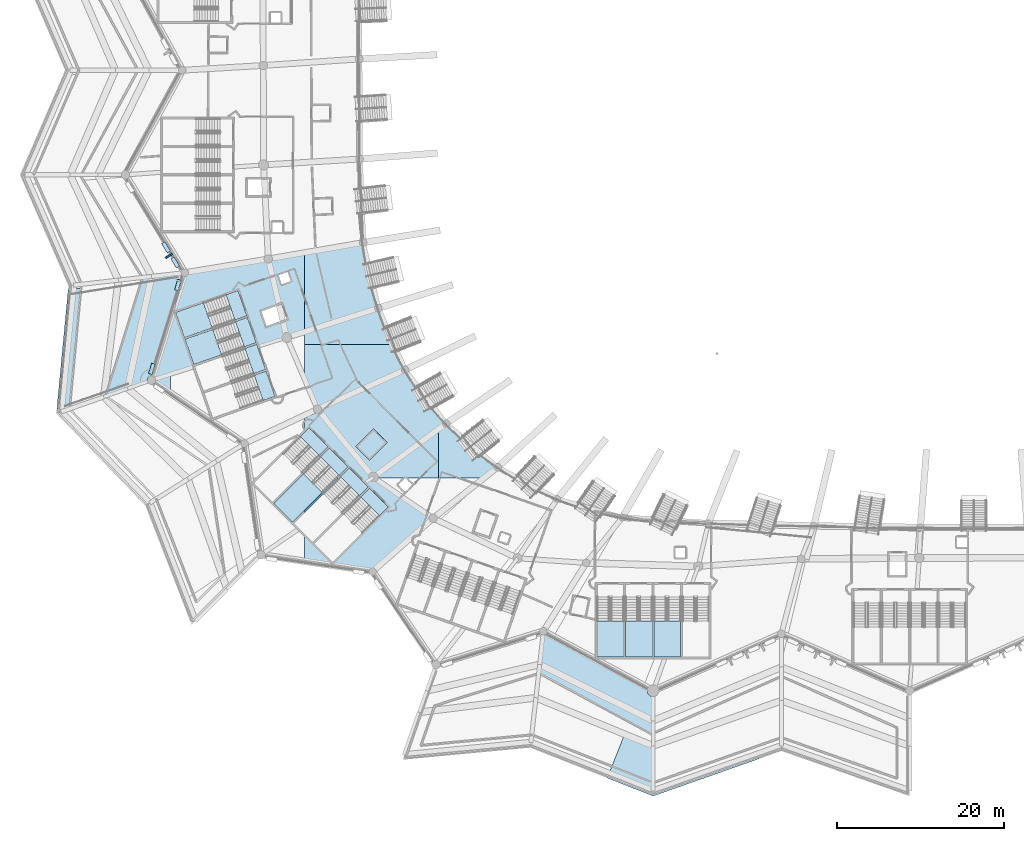
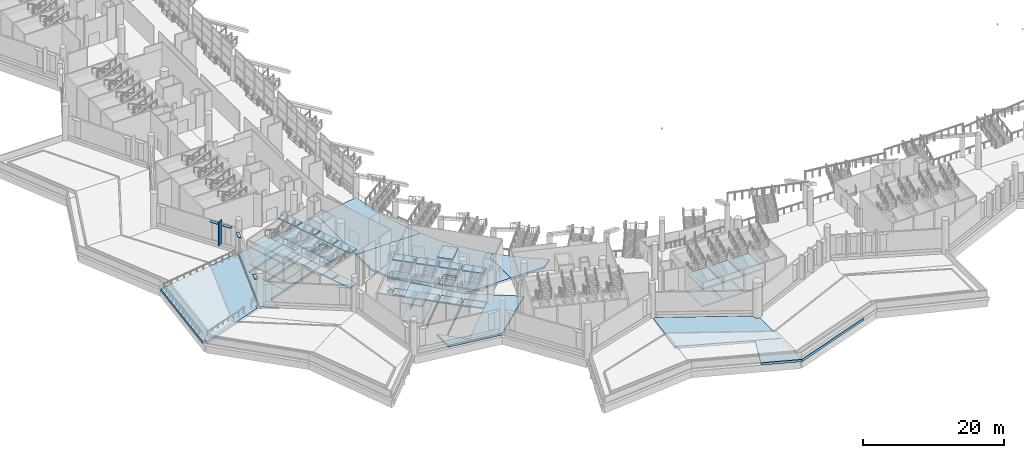
# One storey, part 22 of 173: 45 slabs, 5 plates, 11 elements without a shape of their own.
"""IFC4 building model written with IfcOpenShell, lengths in metres."""

from ifc_helpers import new_model, si_unit, direction, frame, origin, origin_2d, place, context, subcontext, project, spatial, polyline, rectangle, outline, extrude, material, layer, layer_set, type_object, element, aggregate, save


model = new_model("IFC4")

# Units and contexts
model_context = context("Model", 3, precision=1e-05, world=origin(), true_north=direction((0.0, 1.0)))
body_context = subcontext(model_context, "Body", "Model", "MODEL_VIEW")
ifc_project = project(units=[si_unit("LENGTHUNIT", "METRE"), si_unit("AREAUNIT", "SQUARE_METRE"), si_unit("VOLUMEUNIT", "CUBIC_METRE"), si_unit("PLANEANGLEUNIT", "RADIAN"), si_unit("MASSUNIT", "GRAM", prefix="KILO")], contexts=[model_context])

# Site, building, storey
site_placement = place(None, origin())
site = spatial("IfcSite", under=ifc_project, at=site_placement, CompositionType="ELEMENT")
building_placement = place(site_placement, origin())
building = spatial("IfcBuilding", under=site, at=building_placement, Name="Meseta Stadium", CompositionType="ELEMENT")
storey_placement = place(building_placement, frame((0.0, 0.0, 18.0)))
storey = spatial("IfcBuildingStorey", under=building, at=storey_placement, Name="L03", CompositionType="ELEMENT", Elevation=18.0)

# Slabs
ifc_material_1 = material(Name="Concrete C40/50", Category="concrete")
ifc_layer_1 = layer(ifc_material_1, 0.25)
ifc_layer_set_1 = layer_set([ifc_layer_1], Name="Core roof slab 250")
slab_type_1 = type_object("IfcSlabType", Name="Core roof slab 250", PredefinedType="ROOF", material=ifc_layer_set_1)
slab_1_placement = place(storey_placement, frame((0.0, 0.0, 4.60009765625)))
element("IfcSlab", 1, at=slab_1_placement, inside=storey, type_object=slab_type_1, Name="Core 21 lift overrun roof", PredefinedType="ROOF", context=body_context, shape_type="SweptSolid", body=[
    extrude(outline(polyline([(-73.867431640625, -76.2412109375), (-71.74609375, -74.119873046875), (-70.119873046875, -75.74609375), (-72.2412109375, -77.867431640625), (-73.867431640625, -76.2412109375)])), origin(), (0.0, 0.0, 1.0), 0.25),
])
ifc_material_2 = material(Name="Concrete C40/50", Category="concrete")
ifc_layer_2 = layer(ifc_material_2, 0.35009765625)
ifc_layer_set_2 = layer_set([ifc_layer_2], Name="Floor slab 350")
slab_type_2 = type_object("IfcSlabType", Name="Floor slab 350", PredefinedType="FLOOR", material=ifc_layer_set_2)
slab_2_placement = place(storey_placement, frame((0.0, 0.0, -0.35009765625)))
element("IfcSlab", 2, at=slab_2_placement, inside=storey, type_object=slab_type_2, Name="Floor slab L03 sector 35 panel 03", PredefinedType="FLOOR", context=body_context, shape_type="SweptSolid", body=[
    extrude(outline(polyline([(-85.63037109375, -64.211181640625), (-80.0, -62.44580078125), (-80.0, -52.975830078125), (-84.33154296875, -53.67333984375), (-84.3251953125, -53.801513671875), (-94.29443359375, -55.44140625), (-98.291015625, -68.297607421875), (-96.0, -69.85205078125), (-96.0, -67.46240234375), (-92.1708984375, -66.26171875), (-85.70458984375, -63.9990234375), (-85.63037109375, -64.211181640625)]), holes=[polyline([(-82.723876953125, -59.195068359375), (-82.09619140625, -60.988525390625), (-84.55029296875, -61.84716796875), (-85.177978515625, -60.0537109375), (-82.723876953125, -59.195068359375)]), polyline([(-94.2841796875, -63.399169921875), (-86.827392578125, -60.789794921875), (-85.7705078125, -63.810302734375), (-93.227294921875, -66.419677734375), (-94.2841796875, -63.399169921875)]), polyline([(-95.406982421875, -60.18994140625), (-87.950439453125, -57.580810546875), (-86.8935546875, -60.601318359375), (-94.35009765625, -63.21044921875), (-95.406982421875, -60.18994140625)]), polyline([(-82.74267578125, -56.870849609375), (-83.138916015625, -55.73828125), (-82.006103515625, -55.341796875), (-81.60986328125, -56.474609375), (-82.74267578125, -56.870849609375)])]), origin(), (0.0, 0.0, 1.0), 0.35009765625),
])
slab_3_placement = place(storey_placement, frame((0.0, 0.0, -0.35009765625)))
element("IfcSlab", 3, at=slab_3_placement, inside=storey, type_object=slab_type_2, Name="Floor slab L03 sector 35 panel 08", PredefinedType="FLOOR", context=body_context, shape_type="SweptSolid", body=[
    extrude(outline(polyline([(-80.0, -83.858642578125), (-80.0, -84.141357421875), (-75.858642578125, -80.0), (-76.141357421875, -80.0), (-80.0, -83.858642578125)])), origin(), (0.0, 0.0, 1.0), 0.35009765625),
])
slab_4_placement = place(storey_placement, frame((0.0, 0.0, -0.35009765625)))
element("IfcSlab", 4, at=slab_4_placement, inside=storey, type_object=slab_type_2, Name="Floor slab L03 sector 35 panel 09", PredefinedType="FLOOR", context=body_context, shape_type="SweptSolid", body=[
    extrude(outline(polyline([(-71.931396484375, -57.104736328125), (-72.2548828125, -55.802978515625), (-72.539794921875, -54.491943359375), (-72.785400390625, -53.1728515625), (-72.9921875, -51.84716796875), (-80.0, -52.975830078125), (-80.0, -64.0), (-69.494384765625, -64.0), (-69.74462890625, -63.441162109375), (-70.2568359375, -62.20068359375), (-70.73193359375, -60.945556640625), (-71.169677734375, -59.67724609375), (-71.569580078125, -58.396484375), (-71.931396484375, -57.104736328125)])), origin(), (0.0, 0.0, 1.0), 0.35009765625),
])
slab_5_placement = place(storey_placement, frame((0.0, 0.0, -0.35009765625)))
element("IfcSlab", 5, at=slab_5_placement, inside=storey, type_object=slab_type_2, Name="Floor slab L03 sector 35 panel 10", PredefinedType="FLOOR", context=body_context, shape_type="SweptSolid", body=[
    extrude(outline(polyline([(-74.779296875, -78.6376953125), (-76.141357421875, -80.0), (-75.858642578125, -80.0), (-74.6376953125, -78.779296875), (-72.375, -81.0419921875), (-79.02197265625, -87.688720703125), (-80.0, -86.710693359375), (-80.0, -89.94189453125), (-71.856689453125, -91.15087890625), (-64.6220703125, -84.79248046875), (-71.775390625, -79.888916015625), (-78.246337890625, -71.998779296875), (-80.0, -72.84228515625), (-80.0, -74.524658203125), (-79.4462890625, -73.970947265625), (-77.183349609375, -76.233642578125), (-80.0, -79.05029296875), (-80.0, -79.3330078125), (-77.0419921875, -76.375), (-74.779296875, -78.6376953125)]), holes=[polyline([(-78.880615234375, -87.830078125), (-72.233642578125, -81.183349609375), (-69.970947265625, -83.4462890625), (-76.61767578125, -90.093017578125), (-78.880615234375, -87.830078125)])]), origin(), (0.0, 0.0, 1.0), 0.35009765625),
])
slab_6_placement = place(storey_placement, frame((0.0, 0.0, -0.35009765625)))
element("IfcSlab", 6, at=slab_6_placement, inside=storey, type_object=slab_type_2, Name="Floor slab L03 sector 35 panel 11", PredefinedType="FLOOR", context=body_context, shape_type="SweptSolid", body=[
    extrude(outline(polyline([(-63.97900390625, -72.476318359375), (-64.85400390625, -71.450927734375), (-65.69189453125, -70.39501953125), (-66.491455078125, -69.31005859375), (-67.251953125, -68.197021484375), (-67.972412109375, -67.057861328125), (-68.610595703125, -65.875), (-69.19580078125, -64.66650390625), (-69.494384765625, -64.0), (-80.0, -64.0), (-80.0, -68.13232421875), (-78.4453125, -71.756103515625), (-71.775390625, -79.888916015625), (-71.61328125, -80.0), (-68.009765625, -80.0), (-67.963134765625, -79.953369140625), (-67.91650390625, -80.0), (-64.0, -80.0), (-64.0, -74.15673828125), (-63.068115234375, -73.469970703125), (-63.97900390625, -72.476318359375)]), holes=[polyline([(-70.402587890625, -75.74609375), (-72.2412109375, -77.584716796875), (-73.584716796875, -76.2412109375), (-71.74609375, -74.402587890625), (-70.402587890625, -75.74609375)])]), origin(), (0.0, 0.0, 1.0), 0.35009765625),
])
slab_7_placement = place(storey_placement, frame((0.0, 0.0, -0.35009765625)))
element("IfcSlab", 7, at=slab_7_placement, inside=storey, type_object=slab_type_2, Name="Floor slab L03 sector 35 panel 14", PredefinedType="FLOOR", context=body_context, shape_type="SweptSolid", body=[
    extrude(outline(polyline([(-61.143310546875, -75.3564453125), (-62.12255859375, -74.430419921875), (-63.068115234375, -73.469970703125), (-64.0, -74.15673828125), (-64.0, -80.0), (-58.563720703125, -80.0), (-56.9150390625, -78.69580078125), (-58.01611328125, -77.91796875), (-59.088623046875, -77.101318359375), (-60.131591796875, -76.247314453125), (-61.143310546875, -75.3564453125)])), origin(), (0.0, 0.0, 1.0), 0.35009765625),
])

# Plates
ifc_material_3 = material(Name="White precast concrete C40/50", Category="concrete")
ifc_layer_3 = layer(ifc_material_3, 0.080078125)
ifc_layer_set_3 = layer_set([ifc_layer_3], Name="Louvre hood 1300x450")
plate_type_1 = type_object("IfcPlateType", Name="Louvre hood 1300x450", PredefinedType="USERDEFINED", material=ifc_layer_set_3)
for number, where, z_axis, x_axis, name in (
    (8, (-95.450439453125, -54.213134765625, 4.25), (0.0, 0.0, 1.0), (0.519362172223, -0.854554231201, 0.0), "Louvre hood L03 F36"),
    (9, (-96.541015625, -52.418701171875, 4.25), (0.0, 0.0, 1.0), (0.519362172223, -0.854554231201, 0.0), "Louvre hood L03 F36"),
    (10, (-95.118408203125, -56.9130859375, 4.25), (0.0, 0.0, 1.0), (-0.296868988045, -0.954918218455, 0.0), "Louvre hood L03 F37"),
    (11, (-98.235595703125, -66.93994140625, 4.25), (0.0, 0.0, 1.0), (-0.296868988045, -0.954918218455, 0.0), "Louvre hood L03 F37"),
):
    element("IfcPlate", number, at=place(storey_placement, frame(where, z_axis=z_axis, x_axis=x_axis)), inside=storey, type_object=plate_type_1, Name=name, ObjectType="LOUVRE", PredefinedType="USERDEFINED", context=body_context, shape_type="SweptSolid", body=[
        extrude(rectangle(XDim=1.300048828125, YDim=0.449951171875, at=origin_2d()), origin(), (0.0, 0.0, 1.0), 0.080078125),
    ])
ifc_material_4 = material(Name="Precast concrete C40/50, terracotta pigment", Category="masonry")
ifc_layer_4 = layer(ifc_material_4, 0.199951171875)
ifc_layer_set_4 = layer_set([ifc_layer_4], Name="Precast concrete C40/50, terracotta pigment")
plate_type_2 = type_object("IfcPlateType", Name="Precast fin 200x900", PredefinedType="USERDEFINED", material=ifc_layer_set_4)
plate_placement = place(storey_placement, frame((-96.18798828125, -53.432861328125, 0.9501953125), z_axis=(0.0, 0.0, 1.0), x_axis=(-0.519362515398, 0.854554022634, 0.0)))
element("IfcPlate", 12, at=plate_placement, inside=storey, type_object=plate_type_2, Name="Precast fin L03 F36.1", ObjectType="FIN", PredefinedType="USERDEFINED", context=body_context, shape_type="SweptSolid", body=[
    extrude(rectangle(XDim=0.199951171875, YDim=0.89990234375, at=origin_2d()), origin(), (0.0, 0.0, 1.0), 4.050048828125),
])

# Slabs
ifc_material_5 = material(Name="Concrete C40/50", Category="concrete")
ifc_layer_5 = layer(ifc_material_5, 0.39990234375)
ifc_layer_set_5 = layer_set([ifc_layer_5], Name="Roof garden slab 400")
slab_type_3 = type_object("IfcSlabType", Name="Roof garden slab 400", PredefinedType="ROOF", material=ifc_layer_set_5)
slab_8_placement = place(storey_placement, frame((0.0, 0.0, -0.39990234375)))
element("IfcSlab", 13, at=slab_8_placement, inside=storey, type_object=slab_type_3, Name="Roof garden slab 6 panel 03", PredefinedType="ROOF", context=body_context, shape_type="SweptSolid", body=[
    extrude(outline(polyline([(-51.323974609375, -98.73291015625), (-51.44140625, -98.748291015625), (-51.491943359375, -98.74169921875), (-52.337158203125, -106.244140625), (-38.333251953125, -112.0), (-38.333251953125, -106.10595703125), (-38.51611328125, -106.08203125), (-38.686279296875, -106.011474609375), (-38.83251953125, -105.899169921875), (-38.94482421875, -105.7529296875), (-39.015380859375, -105.582763671875), (-39.039306640625, -105.39990234375), (-39.015380859375, -105.21728515625), (-39.009765625, -105.203857421875), (-51.138671875, -98.629150390625), (-51.214599609375, -98.6875), (-51.323974609375, -98.73291015625)])), origin(), (0.0, 0.0, 1.0), 0.39990234375),
])
slab_9_placement = place(storey_placement, frame((0.0, 0.0, -0.39990234375)))
element("IfcSlab", 14, at=slab_9_placement, inside=storey, type_object=slab_type_3, Name="Roof garden slab 6 panel 04", PredefinedType="ROOF", context=body_context, shape_type="SweptSolid", body=[
    extrude(outline(polyline([(-38.333251953125, -112.0), (-41.7451171875, -110.59765625), (-43.822509765625, -115.8330078125), (-38.333251953125, -118.0), (-25.7548828125, -113.5703125), (-25.598876953125, -112.915283203125), (-38.333251953125, -117.39990234375), (-38.333251953125, -112.0)])), origin(), (0.0, 0.0, 1.0), 0.39990234375),
])
slab_10_placement = place(storey_placement, frame((0.0, 0.0, -0.39990234375)))
element("IfcSlab", 15, at=slab_10_placement, inside=storey, type_object=slab_type_3, Name="Roof garden slab 5 part 2 panel 03", PredefinedType="ROOF", context=body_context, shape_type="SweptSolid", body=[
    extrude(outline(polyline([(-94.615478515625, -55.762451171875), (-94.6875, -55.66845703125), (-94.73291015625, -55.558837890625), (-94.748291015625, -55.44140625), (-94.736083984375, -55.34912109375), (-108.255615234375, -57.526611328125), (-109.601318359375, -71.726806640625), (-109.03564453125, -71.54931640625), (-109.0869140625, -72.0751953125), (-98.763916015625, -68.462890625), (-98.7783203125, -68.427978515625), (-98.79541015625, -68.297607421875), (-98.7783203125, -68.1669921875), (-98.727783203125, -68.04541015625), (-98.647705078125, -67.94091796875), (-98.543212890625, -67.860595703125), (-98.421630859375, -67.810302734375), (-98.29150390625, -67.793212890625), (-94.563720703125, -55.802001953125), (-94.615478515625, -55.762451171875)])), origin(), (0.0, 0.0, 1.0), 0.39990234375),
])

# Stair, slabs
ifc_material_6 = material(Name="Concrete C40/50", Category="concrete")
stair_type = type_object("IfcStairType", Name="Exit stair 4 flights 150 mm risers", PredefinedType="HALF_TURN_STAIR", material=ifc_material_6)
stair_1_placement = place(storey_placement, origin())
stair_1 = element("IfcStair", 16, at=stair_1_placement, inside=storey, type_object=stair_type, Name="ST77 L03", PredefinedType="HALF_TURN_STAIR")
ifc_material_7 = material(Name="Concrete C40/50", Category="concrete")
ifc_layer_6 = layer(ifc_material_7, 0.199951171875)
ifc_layer_set_6 = layer_set([ifc_layer_6], Name="Stair landing 200")
slab_type_4 = type_object("IfcSlabType", Name="Stair landing 200", PredefinedType="LANDING", material=ifc_layer_set_6)
slab_11_placement = place(storey_placement, frame((0.0, 0.0, 1.300048828125)))
slab_11 = element("IfcSlab", 17, at=slab_11_placement, type_object=slab_type_4, Name="ST77 L03 landing 1", PredefinedType="LANDING", context=body_context, shape_type="SweptSolid", body=[
    extrude(outline(polyline([(-92.0751953125, -59.024169921875), (-95.406982421875, -60.18994140625), (-94.35009765625, -63.21044921875), (-91.018310546875, -62.04443359375), (-92.0751953125, -59.024169921875)])), origin(), (0.0, 0.0, 1.0), 0.199951171875),
])
slab_12_placement = place(storey_placement, frame((0.0, 0.0, 2.800048828125)))
slab_12 = element("IfcSlab", 18, at=slab_12_placement, type_object=slab_type_4, Name="ST77 L03 landing 2", PredefinedType="LANDING", context=body_context, shape_type="SweptSolid", body=[
    extrude(outline(polyline([(-87.950439453125, -57.580810546875), (-89.375732421875, -58.079345703125), (-88.31884765625, -61.099853515625), (-86.8935546875, -60.60107421875), (-87.950439453125, -57.580810546875)])), origin(), (0.0, 0.0, 1.0), 0.199951171875),
])
slab_13_placement = place(storey_placement, frame((0.0, 0.0, 4.300048828125)))
slab_13 = element("IfcSlab", 19, at=slab_13_placement, type_object=slab_type_4, Name="ST77 L03 landing 3", PredefinedType="LANDING", context=body_context, shape_type="SweptSolid", body=[
    extrude(outline(polyline([(-92.0751953125, -59.024169921875), (-95.406982421875, -60.18994140625), (-94.35009765625, -63.21044921875), (-91.018310546875, -62.04443359375), (-92.0751953125, -59.024169921875)])), origin(), (0.0, 0.0, 1.0), 0.199951171875),
])
slab_14_placement = place(storey_placement, frame((0.0, 0.0, -0.199951171875)))
slab_14 = element("IfcSlab", 20, at=slab_14_placement, type_object=slab_type_4, Name="ST77 L03 landing 4", PredefinedType="LANDING", context=body_context, shape_type="SweptSolid", body=[
    extrude(outline(polyline([(-87.950439453125, -57.580810546875), (-89.375732421875, -58.079345703125), (-88.31884765625, -61.099853515625), (-86.8935546875, -60.60107421875), (-87.950439453125, -57.580810546875)])), origin(), (0.0, 0.0, 1.0), 0.199951171875),
])
slab_15_placement = place(storey_placement, frame((0.0, 0.0, 5.800048828125)))
slab_15 = element("IfcSlab", 21, at=slab_15_placement, type_object=slab_type_4, Name="ST77 L03 landing 5", PredefinedType="LANDING", context=body_context, shape_type="SweptSolid", body=[
    extrude(outline(polyline([(-87.950439453125, -57.580810546875), (-89.375732421875, -58.079345703125), (-88.31884765625, -61.099853515625), (-86.8935546875, -60.60107421875), (-87.950439453125, -57.580810546875)])), origin(), (0.0, 0.0, 1.0), 0.199951171875),
])
aggregate(stair_1, [slab_11, slab_12, slab_13, slab_14, slab_15])

stair_2_placement = place(storey_placement, origin())
stair_2 = element("IfcStair", 22, at=stair_2_placement, inside=storey, type_object=stair_type, Name="ST78 L03", PredefinedType="HALF_TURN_STAIR")
slab_16_placement = place(storey_placement, frame((0.0, 0.0, 1.300048828125)))
slab_16 = element("IfcSlab", 23, at=slab_16_placement, type_object=slab_type_4, Name="ST78 L03 landing 1", PredefinedType="LANDING", context=body_context, shape_type="SweptSolid", body=[
    extrude(outline(polyline([(-90.9521484375, -62.233154296875), (-94.2841796875, -63.399169921875), (-93.227294921875, -66.419677734375), (-89.895263671875, -65.253662109375), (-90.9521484375, -62.233154296875)])), origin(), (0.0, 0.0, 1.0), 0.199951171875),
])
slab_17_placement = place(storey_placement, frame((0.0, 0.0, 2.800048828125)))
slab_17 = element("IfcSlab", 24, at=slab_17_placement, type_object=slab_type_4, Name="ST78 L03 landing 2", PredefinedType="LANDING", context=body_context, shape_type="SweptSolid", body=[
    extrude(outline(polyline([(-86.827392578125, -60.7900390625), (-88.252685546875, -61.28857421875), (-87.19580078125, -64.30908203125), (-85.7705078125, -63.810302734375), (-86.827392578125, -60.7900390625)])), origin(), (0.0, 0.0, 1.0), 0.199951171875),
])
slab_18_placement = place(storey_placement, frame((0.0, 0.0, 4.300048828125)))
slab_18 = element("IfcSlab", 25, at=slab_18_placement, type_object=slab_type_4, Name="ST78 L03 landing 3", PredefinedType="LANDING", context=body_context, shape_type="SweptSolid", body=[
    extrude(outline(polyline([(-90.9521484375, -62.233154296875), (-94.2841796875, -63.399169921875), (-93.227294921875, -66.419677734375), (-89.895263671875, -65.253662109375), (-90.9521484375, -62.233154296875)])), origin(), (0.0, 0.0, 1.0), 0.199951171875),
])
slab_19_placement = place(storey_placement, frame((0.0, 0.0, -0.199951171875)))
slab_19 = element("IfcSlab", 26, at=slab_19_placement, type_object=slab_type_4, Name="ST78 L03 landing 4", PredefinedType="LANDING", context=body_context, shape_type="SweptSolid", body=[
    extrude(outline(polyline([(-86.827392578125, -60.7900390625), (-88.252685546875, -61.28857421875), (-87.19580078125, -64.30908203125), (-85.7705078125, -63.810302734375), (-86.827392578125, -60.7900390625)])), origin(), (0.0, 0.0, 1.0), 0.199951171875),
])
slab_20_placement = place(storey_placement, frame((0.0, 0.0, 5.800048828125)))
slab_20 = element("IfcSlab", 27, at=slab_20_placement, type_object=slab_type_4, Name="ST78 L03 landing 5", PredefinedType="LANDING", context=body_context, shape_type="SweptSolid", body=[
    extrude(outline(polyline([(-86.827392578125, -60.7900390625), (-88.252685546875, -61.28857421875), (-87.19580078125, -64.30908203125), (-85.7705078125, -63.810302734375), (-86.827392578125, -60.7900390625)])), origin(), (0.0, 0.0, 1.0), 0.199951171875),
])
aggregate(stair_2, [slab_16, slab_17, slab_18, slab_19, slab_20])

stair_3_placement = place(storey_placement, origin())
stair_3 = element("IfcStair", 28, at=stair_3_placement, inside=storey, type_object=stair_type, Name="ST79 L03", PredefinedType="HALF_TURN_STAIR")
slab_21_placement = place(storey_placement, frame((0.0, 0.0, 2.800048828125)))
slab_21 = element("IfcSlab", 29, at=slab_21_placement, type_object=slab_type_4, Name="ST79 L03 landing 2", PredefinedType="LANDING", context=body_context, shape_type="SweptSolid", body=[
    extrude(outline(polyline([(-85.704345703125, -63.9990234375), (-87.129638671875, -64.497802734375), (-86.07275390625, -67.518310546875), (-84.6474609375, -67.01953125), (-85.704345703125, -63.9990234375)])), origin(), (0.0, 0.0, 1.0), 0.199951171875),
])
slab_22_placement = place(storey_placement, frame((0.0, 0.0, -0.199951171875)))
slab_22 = element("IfcSlab", 30, at=slab_22_placement, type_object=slab_type_4, Name="ST79 L03 landing 4", PredefinedType="LANDING", context=body_context, shape_type="SweptSolid", body=[
    extrude(outline(polyline([(-85.704345703125, -63.9990234375), (-87.129638671875, -64.497802734375), (-86.07275390625, -67.518310546875), (-84.6474609375, -67.01953125), (-85.704345703125, -63.9990234375)])), origin(), (0.0, 0.0, 1.0), 0.199951171875),
])
slab_23_placement = place(storey_placement, frame((0.0, 0.0, 5.800048828125)))
slab_23 = element("IfcSlab", 31, at=slab_23_placement, type_object=slab_type_4, Name="ST79 L03 landing 5", PredefinedType="LANDING", context=body_context, shape_type="SweptSolid", body=[
    extrude(outline(polyline([(-85.704345703125, -63.9990234375), (-87.129638671875, -64.497802734375), (-86.07275390625, -67.518310546875), (-84.6474609375, -67.01953125), (-85.704345703125, -63.9990234375)])), origin(), (0.0, 0.0, 1.0), 0.199951171875),
])
aggregate(stair_3, [slab_21, slab_22, slab_23])

stair_4_placement = place(storey_placement, origin())
stair_4 = element("IfcStair", 32, at=stair_4_placement, inside=storey, type_object=stair_type, Name="ST80 L03", PredefinedType="HALF_TURN_STAIR")
slab_24_placement = place(storey_placement, frame((0.0, 0.0, -0.199951171875)))
slab_24 = element("IfcSlab", 33, at=slab_24_placement, type_object=slab_type_4, Name="ST80 L03 landing 4", PredefinedType="LANDING", context=body_context, shape_type="SweptSolid", body=[
    extrude(outline(polyline([(-84.58154296875, -67.208251953125), (-86.0068359375, -67.70703125), (-84.949951171875, -70.7275390625), (-83.524658203125, -70.228759765625), (-84.58154296875, -67.208251953125)])), origin(), (0.0, 0.0, 1.0), 0.199951171875),
])
slab_25_placement = place(storey_placement, frame((0.0, 0.0, 5.800048828125)))
slab_25 = element("IfcSlab", 34, at=slab_25_placement, type_object=slab_type_4, Name="ST80 L03 landing 5", PredefinedType="LANDING", context=body_context, shape_type="SweptSolid", body=[
    extrude(outline(polyline([(-84.58154296875, -67.208251953125), (-86.0068359375, -67.70703125), (-84.949951171875, -70.7275390625), (-83.524658203125, -70.228759765625), (-84.58154296875, -67.208251953125)])), origin(), (0.0, 0.0, 1.0), 0.199951171875),
])
aggregate(stair_4, [slab_24, slab_25])

stair_5_placement = place(storey_placement, origin())
stair_5 = element("IfcStair", 35, at=stair_5_placement, inside=storey, type_object=stair_type, Name="ST81 L03", PredefinedType="HALF_TURN_STAIR")
slab_26_placement = place(storey_placement, frame((0.0, 0.0, 2.800048828125)))
slab_26 = element("IfcSlab", 36, at=slab_26_placement, type_object=slab_type_4, Name="ST81 L03 landing 2", PredefinedType="LANDING", context=body_context, shape_type="SweptSolid", body=[
    extrude(outline(polyline([(-79.446044921875, -73.970947265625), (-80.513916015625, -75.03857421875), (-78.251220703125, -77.301513671875), (-77.183349609375, -76.233642578125), (-79.446044921875, -73.970947265625)])), origin(), (0.0, 0.0, 1.0), 0.199951171875),
])
slab_27_placement = place(storey_placement, frame((0.0, 0.0, -0.199951171875)))
slab_27 = element("IfcSlab", 37, at=slab_27_placement, type_object=slab_type_4, Name="ST81 L03 landing 4", PredefinedType="LANDING", context=body_context, shape_type="SweptSolid", body=[
    extrude(outline(polyline([(-79.446044921875, -73.970947265625), (-80.513916015625, -75.03857421875), (-78.251220703125, -77.301513671875), (-77.183349609375, -76.233642578125), (-79.446044921875, -73.970947265625)])), origin(), (0.0, 0.0, 1.0), 0.199951171875),
])
slab_28_placement = place(storey_placement, frame((0.0, 0.0, 5.800048828125)))
slab_28 = element("IfcSlab", 38, at=slab_28_placement, type_object=slab_type_4, Name="ST81 L03 landing 5", PredefinedType="LANDING", context=body_context, shape_type="SweptSolid", body=[
    extrude(outline(polyline([(-79.446044921875, -73.970947265625), (-80.513916015625, -75.03857421875), (-78.251220703125, -77.301513671875), (-77.183349609375, -76.233642578125), (-79.446044921875, -73.970947265625)])), origin(), (0.0, 0.0, 1.0), 0.199951171875),
])
aggregate(stair_5, [slab_26, slab_27, slab_28])

stair_6_placement = place(storey_placement, origin())
stair_6 = element("IfcStair", 39, at=stair_6_placement, inside=storey, type_object=stair_type, Name="ST82 L03", PredefinedType="HALF_TURN_STAIR")
slab_29_placement = place(storey_placement, frame((0.0, 0.0, 1.300048828125)))
slab_29 = element("IfcSlab", 40, at=slab_29_placement, type_object=slab_type_4, Name="ST82 L03 landing 1", PredefinedType="LANDING", context=body_context, shape_type="SweptSolid", body=[
    extrude(outline(polyline([(-80.132080078125, -79.465087890625), (-83.688720703125, -83.02197265625), (-81.426025390625, -85.28466796875), (-77.869384765625, -81.727783203125), (-80.132080078125, -79.465087890625)])), origin(), (0.0, 0.0, 1.0), 0.199951171875),
])
slab_30_placement = place(storey_placement, frame((0.0, 0.0, 2.800048828125)))
slab_30 = element("IfcSlab", 41, at=slab_30_placement, type_object=slab_type_4, Name="ST82 L03 landing 2", PredefinedType="LANDING", context=body_context, shape_type="SweptSolid", body=[
    extrude(outline(polyline([(-77.0419921875, -76.375), (-78.109619140625, -77.44287109375), (-75.846923828125, -79.70556640625), (-74.779296875, -78.637939453125), (-77.0419921875, -76.375)])), origin(), (0.0, 0.0, 1.0), 0.199951171875),
])
slab_31_placement = place(storey_placement, frame((0.0, 0.0, 4.300048828125)))
slab_31 = element("IfcSlab", 42, at=slab_31_placement, type_object=slab_type_4, Name="ST82 L03 landing 3", PredefinedType="LANDING", context=body_context, shape_type="SweptSolid", body=[
    extrude(outline(polyline([(-80.132080078125, -79.465087890625), (-83.688720703125, -83.02197265625), (-81.426025390625, -85.28466796875), (-77.869384765625, -81.727783203125), (-80.132080078125, -79.465087890625)])), origin(), (0.0, 0.0, 1.0), 0.199951171875),
])
slab_32_placement = place(storey_placement, frame((0.0, 0.0, -0.199951171875)))
slab_32 = element("IfcSlab", 43, at=slab_32_placement, type_object=slab_type_4, Name="ST82 L03 landing 4", PredefinedType="LANDING", context=body_context, shape_type="SweptSolid", body=[
    extrude(outline(polyline([(-77.0419921875, -76.375), (-78.109619140625, -77.44287109375), (-75.846923828125, -79.70556640625), (-74.779296875, -78.637939453125), (-77.0419921875, -76.375)])), origin(), (0.0, 0.0, 1.0), 0.199951171875),
])
slab_33_placement = place(storey_placement, frame((0.0, 0.0, 5.800048828125)))
slab_33 = element("IfcSlab", 44, at=slab_33_placement, type_object=slab_type_4, Name="ST82 L03 landing 5", PredefinedType="LANDING", context=body_context, shape_type="SweptSolid", body=[
    extrude(outline(polyline([(-77.0419921875, -76.375), (-78.109619140625, -77.44287109375), (-75.846923828125, -79.70556640625), (-74.779296875, -78.637939453125), (-77.0419921875, -76.375)])), origin(), (0.0, 0.0, 1.0), 0.199951171875),
])
aggregate(stair_6, [slab_29, slab_30, slab_31, slab_32, slab_33])

stair_7_placement = place(storey_placement, origin())
stair_7 = element("IfcStair", 45, at=stair_7_placement, inside=storey, type_object=stair_type, Name="ST83 L03", PredefinedType="HALF_TURN_STAIR")
slab_34_placement = place(storey_placement, frame((0.0, 0.0, 2.800048828125)))
slab_34 = element("IfcSlab", 46, at=slab_34_placement, type_object=slab_type_4, Name="ST83 L03 landing 2", PredefinedType="LANDING", context=body_context, shape_type="SweptSolid", body=[
    extrude(outline(polyline([(-74.637939453125, -78.779296875), (-75.70556640625, -79.846923828125), (-73.44287109375, -82.109619140625), (-72.375, -81.0419921875), (-74.637939453125, -78.779296875)])), origin(), (0.0, 0.0, 1.0), 0.199951171875),
])
slab_35_placement = place(storey_placement, frame((0.0, 0.0, -0.199951171875)))
slab_35 = element("IfcSlab", 47, at=slab_35_placement, type_object=slab_type_4, Name="ST83 L03 landing 4", PredefinedType="LANDING", context=body_context, shape_type="SweptSolid", body=[
    extrude(outline(polyline([(-74.637939453125, -78.779296875), (-75.70556640625, -79.846923828125), (-73.44287109375, -82.109619140625), (-72.375, -81.0419921875), (-74.637939453125, -78.779296875)])), origin(), (0.0, 0.0, 1.0), 0.199951171875),
])
slab_36_placement = place(storey_placement, frame((0.0, 0.0, 5.800048828125)))
slab_36 = element("IfcSlab", 48, at=slab_36_placement, type_object=slab_type_4, Name="ST83 L03 landing 5", PredefinedType="LANDING", context=body_context, shape_type="SweptSolid", body=[
    extrude(outline(polyline([(-74.637939453125, -78.779296875), (-75.70556640625, -79.846923828125), (-73.44287109375, -82.109619140625), (-72.375, -81.0419921875), (-74.637939453125, -78.779296875)])), origin(), (0.0, 0.0, 1.0), 0.199951171875),
])
aggregate(stair_7, [slab_34, slab_35, slab_36])

stair_8_placement = place(storey_placement, origin())
stair_8 = element("IfcStair", 49, at=stair_8_placement, inside=storey, type_object=stair_type, Name="ST84 L03", PredefinedType="HALF_TURN_STAIR")
slab_37_placement = place(storey_placement, frame((0.0, 0.0, 2.800048828125)))
slab_37 = element("IfcSlab", 50, at=slab_37_placement, type_object=slab_type_4, Name="ST84 L03 landing 2", PredefinedType="LANDING", context=body_context, shape_type="SweptSolid", body=[
    extrude(outline(polyline([(-72.233642578125, -81.183349609375), (-73.301513671875, -82.251220703125), (-71.03857421875, -84.513916015625), (-69.970947265625, -83.446044921875), (-72.233642578125, -81.183349609375)])), origin(), (0.0, 0.0, 1.0), 0.199951171875),
])
slab_38_placement = place(storey_placement, frame((0.0, 0.0, -0.199951171875)))
slab_38 = element("IfcSlab", 51, at=slab_38_placement, type_object=slab_type_4, Name="ST84 L03 landing 4", PredefinedType="LANDING", context=body_context, shape_type="SweptSolid", body=[
    extrude(outline(polyline([(-72.233642578125, -81.183349609375), (-73.301513671875, -82.251220703125), (-71.03857421875, -84.513916015625), (-69.970947265625, -83.446044921875), (-72.233642578125, -81.183349609375)])), origin(), (0.0, 0.0, 1.0), 0.199951171875),
])
slab_39_placement = place(storey_placement, frame((0.0, 0.0, 5.800048828125)))
slab_39 = element("IfcSlab", 52, at=slab_39_placement, type_object=slab_type_4, Name="ST84 L03 landing 5", PredefinedType="LANDING", context=body_context, shape_type="SweptSolid", body=[
    extrude(outline(polyline([(-72.233642578125, -81.183349609375), (-73.301513671875, -82.251220703125), (-71.03857421875, -84.513916015625), (-69.970947265625, -83.446044921875), (-72.233642578125, -81.183349609375)])), origin(), (0.0, 0.0, 1.0), 0.199951171875),
])
aggregate(stair_8, [slab_37, slab_38, slab_39])

stair_9_placement = place(storey_placement, origin())
stair_9 = element("IfcStair", 53, at=stair_9_placement, inside=storey, type_object=stair_type, Name="ST89 L03", PredefinedType="HALF_TURN_STAIR")
slab_40_placement = place(storey_placement, frame((0.0, 0.0, 1.300048828125)))
slab_40 = element("IfcSlab", 54, at=slab_40_placement, type_object=slab_type_4, Name="ST89 L03 landing 1", PredefinedType="LANDING", context=body_context, shape_type="SweptSolid", body=[
    extrude(outline(polyline([(-45.033447265625, -97.070068359375), (-45.033447265625, -101.39990234375), (-41.833251953125, -101.39990234375), (-41.833251953125, -97.070068359375), (-45.033447265625, -97.070068359375)])), origin(), (0.0, 0.0, 1.0), 0.199951171875),
])
slab_41_placement = place(storey_placement, frame((0.0, 0.0, 4.300048828125)))
slab_41 = element("IfcSlab", 55, at=slab_41_placement, type_object=slab_type_4, Name="ST89 L03 landing 3", PredefinedType="LANDING", context=body_context, shape_type="SweptSolid", body=[
    extrude(outline(polyline([(-45.033447265625, -97.070068359375), (-45.033447265625, -101.39990234375), (-41.833251953125, -101.39990234375), (-41.833251953125, -97.070068359375), (-45.033447265625, -97.070068359375)])), origin(), (0.0, 0.0, 1.0), 0.199951171875),
])
aggregate(stair_9, [slab_40, slab_41])

stair_10_placement = place(storey_placement, origin())
stair_10 = element("IfcStair", 56, at=stair_10_placement, inside=storey, type_object=stair_type, Name="ST90 L03", PredefinedType="HALF_TURN_STAIR")
slab_42_placement = place(storey_placement, frame((0.0, 0.0, 1.300048828125)))
slab_42 = element("IfcSlab", 57, at=slab_42_placement, type_object=slab_type_4, Name="ST90 L03 landing 1", PredefinedType="LANDING", context=body_context, shape_type="SweptSolid", body=[
    extrude(outline(polyline([(-41.63330078125, -97.070068359375), (-41.63330078125, -101.39990234375), (-38.433349609375, -101.39990234375), (-38.433349609375, -97.070068359375), (-41.63330078125, -97.070068359375)])), origin(), (0.0, 0.0, 1.0), 0.199951171875),
])
slab_43_placement = place(storey_placement, frame((0.0, 0.0, 4.300048828125)))
slab_43 = element("IfcSlab", 58, at=slab_43_placement, type_object=slab_type_4, Name="ST90 L03 landing 3", PredefinedType="LANDING", context=body_context, shape_type="SweptSolid", body=[
    extrude(outline(polyline([(-41.63330078125, -97.070068359375), (-41.63330078125, -101.39990234375), (-38.433349609375, -101.39990234375), (-38.433349609375, -97.070068359375), (-41.63330078125, -97.070068359375)])), origin(), (0.0, 0.0, 1.0), 0.199951171875),
])
aggregate(stair_10, [slab_42, slab_43])

stair_11_placement = place(storey_placement, origin())
stair_11 = element("IfcStair", 59, at=stair_11_placement, inside=storey, type_object=stair_type, Name="ST91 L03", PredefinedType="HALF_TURN_STAIR")
slab_44_placement = place(storey_placement, frame((0.0, 0.0, 1.300048828125)))
slab_44 = element("IfcSlab", 60, at=slab_44_placement, type_object=slab_type_4, Name="ST91 L03 landing 1", PredefinedType="LANDING", context=body_context, shape_type="SweptSolid", body=[
    extrude(outline(polyline([(-38.2333984375, -97.070068359375), (-38.2333984375, -101.39990234375), (-35.033447265625, -101.39990234375), (-35.033447265625, -97.070068359375), (-38.2333984375, -97.070068359375)])), origin(), (0.0, 0.0, 1.0), 0.199951171875),
])
slab_45_placement = place(storey_placement, frame((0.0, 0.0, 4.300048828125)))
slab_45 = element("IfcSlab", 61, at=slab_45_placement, type_object=slab_type_4, Name="ST91 L03 landing 3", PredefinedType="LANDING", context=body_context, shape_type="SweptSolid", body=[
    extrude(outline(polyline([(-38.2333984375, -97.070068359375), (-38.2333984375, -101.39990234375), (-35.033447265625, -101.39990234375), (-35.033447265625, -97.070068359375), (-38.2333984375, -97.070068359375)])), origin(), (0.0, 0.0, 1.0), 0.199951171875),
])
aggregate(stair_11, [slab_44, slab_45])

save(model, "model.ifc")
